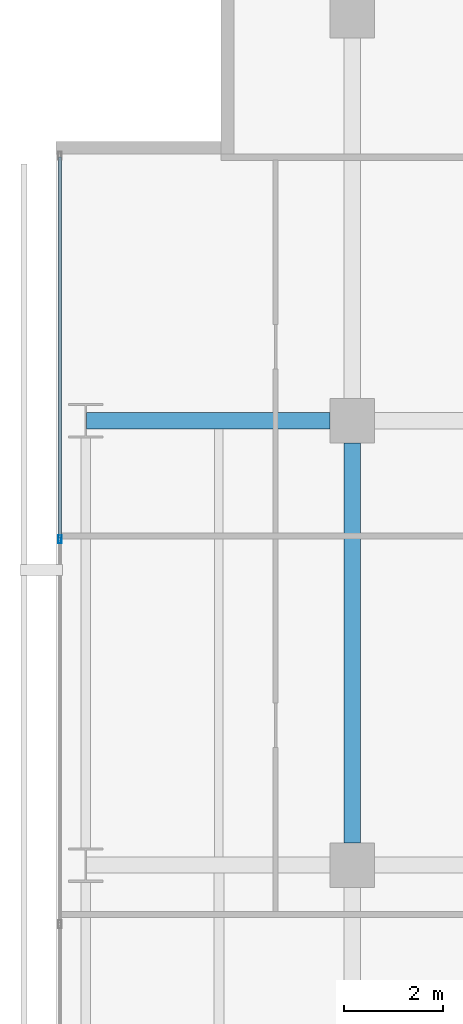
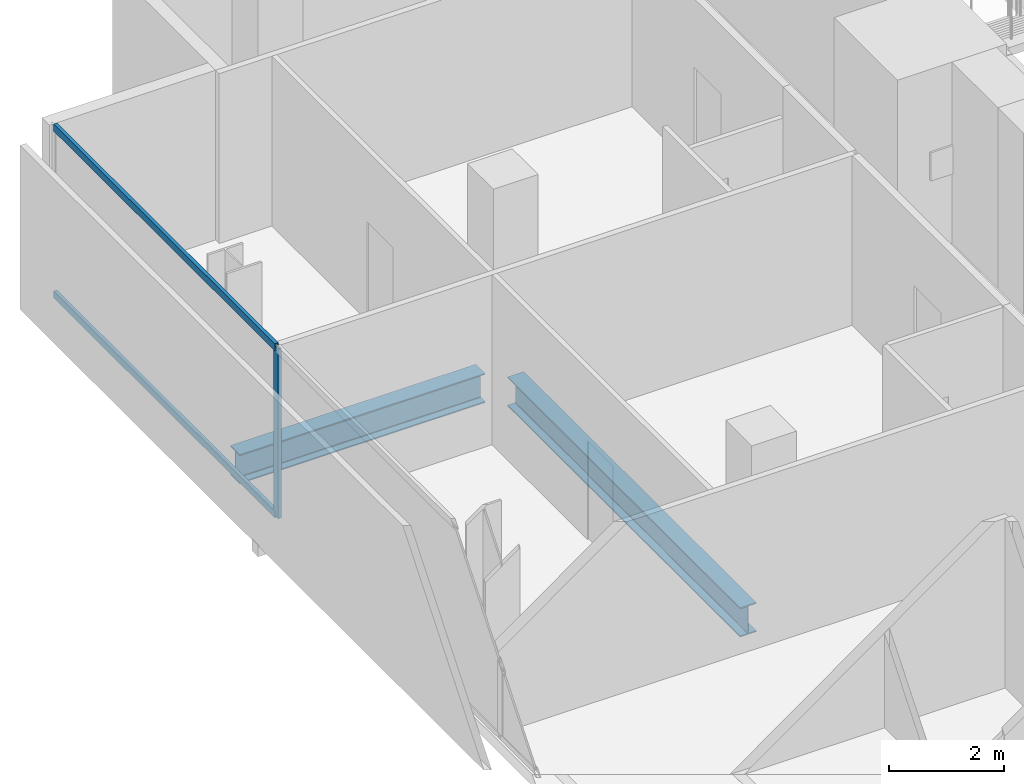
# One storey, part 23 of 40: 3 members, 2 beams, 1 element without a shape of its own.
"""IFC4 building model written with IfcOpenShell, lengths in metres."""

from ifc_helpers import new_model, si_unit, direction, frame, origin, origin_2d, place, context, subcontext, project, spatial, hollow_rectangle, i_section, extrude, material, layer, layer_set, material_profile, profile_set, type_object, element, aggregate, save


model = new_model("IFC4")

# Units and contexts
model_context = context("Model", 3, precision=1e-05, world=origin(), true_north=direction((0.0, 1.0)))
body_context = subcontext(model_context, "Body", "Model", "MODEL_VIEW")
ifc_project = project(units=[si_unit("LENGTHUNIT", "METRE"), si_unit("AREAUNIT", "SQUARE_METRE"), si_unit("VOLUMEUNIT", "CUBIC_METRE"), si_unit("PLANEANGLEUNIT", "RADIAN"), si_unit("MASSUNIT", "GRAM", prefix="KILO")], contexts=[model_context])

# Site, building, storey
site_placement = place(None, origin())
site = spatial("IfcSite", under=ifc_project, at=site_placement, CompositionType="ELEMENT")
building_placement = place(site_placement, origin())
building = spatial("IfcBuilding", under=site, at=building_placement, Name="Maruvema Waterfront Hotel and Observation Tower", CompositionType="ELEMENT")
storey_placement = place(building_placement, frame((0.0, 0.0, 38.5)))
storey = spatial("IfcBuildingStorey", under=building, at=storey_placement, Name="L08", CompositionType="ELEMENT", Elevation=38.5)

# Curtain wall, members
ifc_material_1 = material(Name="Anodised bronze aluminium and solar-control low-E IGU", Category="aluminium")
ifc_layer = layer(ifc_material_1, 0.159912109375, Name="Zone 1 Bronze Inner Thermal Curtain Wall System CW-02")
ifc_layer_set = layer_set([ifc_layer], Name="Anodised bronze aluminium and solar-control low-E IGU")
curtain_wall_type = type_object("IfcCurtainWallType", Name="Zone 1 Bronze Inner Thermal Curtain Wall System CW-02", PredefinedType="USERDEFINED", material=ifc_layer_set)
curtain_wall_placement = place(storey_placement, origin())
curtain_wall = element("IfcCurtainWall", 1, at=curtain_wall_placement, inside=storey, type_object=curtain_wall_type, Name="L08 Curtain Wall CW-L08-W", ObjectType="UNITISED CURTAIN WALL", PredefinedType="USERDEFINED")
ifc_material_2 = material(Name="Anodised architectural bronze aluminium", Category="aluminium")
ifc_material_profile_1 = material_profile(ifc_material_2, hollow_rectangle(XDim=0.070068359375, YDim=0.14990234375, WallThickness=0.00390625, at=origin_2d()), Name="ALU-T70x150")
ifc_profile_set_1 = profile_set([ifc_material_profile_1], Name="Anodised architectural bronze aluminium")
member_type_1 = type_object("IfcMemberType", Name="Curtain Wall Horizontal Transom ALU-T70x150", PredefinedType="USERDEFINED", material=ifc_profile_set_1)
member_1_placement = place(storey_placement, frame((10.8798828125, 50.340087890625, 0.030029296875), z_axis=(0.0, -1.0, 0.0), x_axis=(1.0, 0.0, 0.0)))
member_1 = element("IfcMember", 2, at=member_1_placement, type_object=member_type_1, Name="CW-02 transom 1.1", ObjectType="TRANSOM", PredefinedType="USERDEFINED", context=body_context, shape_type="SweptSolid", body=[
    extrude(hollow_rectangle(XDim=0.070068359375, YDim=0.14990234375, WallThickness=0.00390625, at=origin_2d()), origin(), (0.0, 0.0, 1.0), 7.710205078125),
])
member_2_placement = place(storey_placement, frame((10.8798828125, 50.340087890625, 3.580078125), z_axis=(0.0, -1.0, 0.0), x_axis=(1.0, 0.0, 0.0)))
member_2 = element("IfcMember", 3, at=member_2_placement, type_object=member_type_1, Name="CW-02 transom 1.2", ObjectType="TRANSOM", PredefinedType="USERDEFINED", context=body_context, shape_type="SweptSolid", body=[
    extrude(hollow_rectangle(XDim=0.070068359375, YDim=0.14990234375, WallThickness=0.00390625, at=origin_2d()), origin(), (0.0, 0.0, 1.0), 7.710205078125),
])
ifc_material_3 = material(Name="Anodised architectural bronze aluminium", Category="aluminium")
ifc_material_profile_2 = material_profile(ifc_material_3, hollow_rectangle(XDim=0.06494140625, YDim=0.1650390625, WallThickness=0.00390625, at=origin_2d()), Name="ALU-M65x165")
ifc_profile_set_2 = profile_set([ifc_material_profile_2], Name="Anodised architectural bronze aluminium")
member_type_2 = type_object("IfcMemberType", Name="Curtain Wall Primary Mullion ALU-M65x165", PredefinedType="MULLION", material=ifc_profile_set_2)
member_3_placement = place(storey_placement, frame((10.8798828125, 42.60009765625, 0.0), z_axis=(0.0, 0.0, 1.0), x_axis=(1.0, 0.0, 0.0)))
member_3 = element("IfcMember", 4, at=member_3_placement, type_object=member_type_2, Name="CW-02 mullion 2", PredefinedType="MULLION", context=body_context, shape_type="SweptSolid", body=[
    extrude(hollow_rectangle(XDim=0.06494140625, YDim=0.1650390625, WallThickness=0.00390625, at=origin_2d()), origin(), (0.0, 0.0, 1.0), 3.610107421875),
])
aggregate(curtain_wall, [member_3, member_1, member_2])

# Beams
ifc_material_4 = material(Name="Steel ASTM A572 Grade 50", Category="steel")
ifc_material_profile_3 = material_profile(ifc_material_4, i_section(OverallWidth=0.326904296875, OverallDepth=0.6220703125, WebThickness=0.015380859375, FlangeThickness=0.0244140625, FilletRadius=0.01806640625, at=origin_2d()), Name="W610x195.0")
ifc_profile_set_3 = profile_set([ifc_material_profile_3], Name="Steel ASTM A572 Grade 50")
beam_type = type_object("IfcBeamType", Name="Primary Floor Girder W610x195.0", PredefinedType="BEAM", material=ifc_profile_set_3)
beam_1_placement = place(storey_placement, frame((11.4140625, 45.0, -0.551025390625), z_axis=(1.0, 0.0, 0.0), x_axis=(0.0, 1.0, 0.0)))
element("IfcBeam", 5, at=beam_1_placement, inside=storey, type_object=beam_type, Name="L08 Floor Girder EW-32", PredefinedType="BEAM", context=body_context, shape_type="SweptSolid", body=[
    extrude(i_section(OverallWidth=0.326904296875, OverallDepth=0.6220703125, WebThickness=0.015380859375, FlangeThickness=0.0244140625, FilletRadius=0.01806640625, at=origin_2d()), origin(), (0.0, 0.0, 1.0), 4.93603515625),
])
beam_2_placement = place(storey_placement, frame((16.800048828125, 36.449951171875, -0.551025390625), z_axis=(0.0, 1.0, 0.0), x_axis=(-1.0, 0.0, 0.0)))
element("IfcBeam", 6, at=beam_2_placement, inside=storey, type_object=beam_type, Name="L08 Floor Girder NS-09", PredefinedType="BEAM", context=body_context, shape_type="SweptSolid", body=[
    extrude(i_section(OverallWidth=0.326904296875, OverallDepth=0.6220703125, WebThickness=0.015380859375, FlangeThickness=0.0244140625, FilletRadius=0.01806640625, at=origin_2d()), origin(), (0.0, 0.0, 1.0), 8.10009765625),
])

save(model, "model.ifc")
